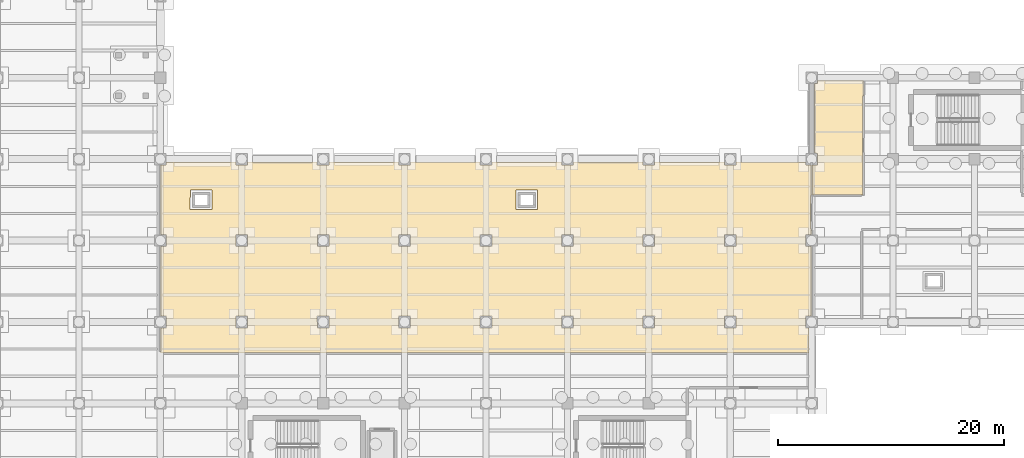
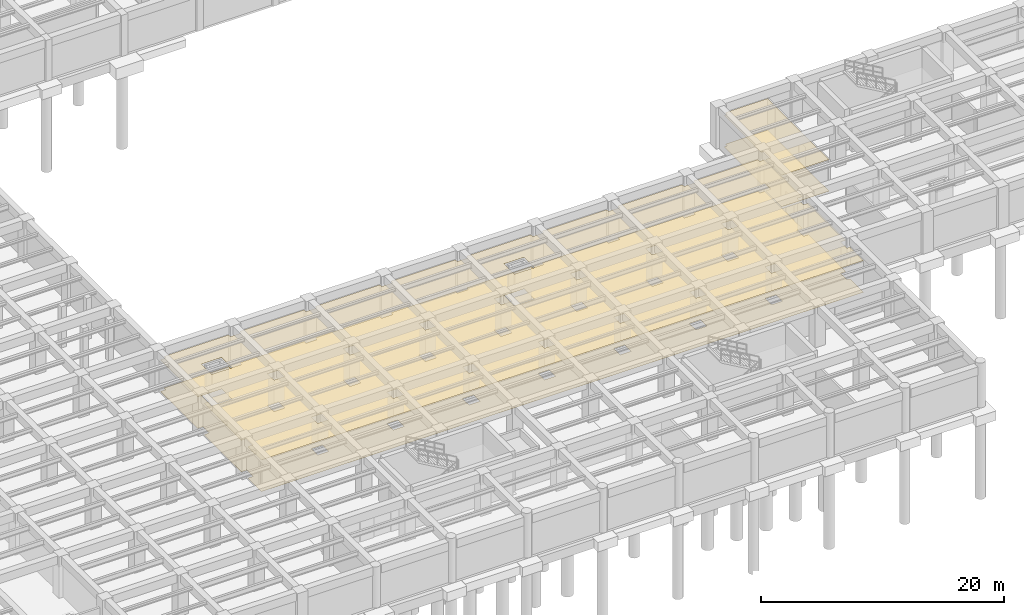
# One storey, part 27 of 34: 4 coverings.
"""IFC4 building model written with IfcOpenShell, lengths in metres."""

from ifc_helpers import new_model, si_unit, direction, frame, origin, place, context, subcontext, project, spatial, polyline, outline, extrude, material, layer, layer_set, type_object, element, save


model = new_model("IFC4")

# Units and contexts
model_context = context("Model", 3, precision=1e-05, world=origin(), true_north=direction((0.0, 1.0)))
body_context = subcontext(model_context, "Body", "Model", "MODEL_VIEW")
ifc_project = project(units=[si_unit("LENGTHUNIT", "METRE"), si_unit("AREAUNIT", "SQUARE_METRE"), si_unit("VOLUMEUNIT", "CUBIC_METRE"), si_unit("PLANEANGLEUNIT", "RADIAN"), si_unit("MASSUNIT", "GRAM", prefix="KILO")], contexts=[model_context])

# Site, building, storey
site_placement = place(None, origin())
site = spatial("IfcSite", under=ifc_project, at=site_placement, CompositionType="ELEMENT")
building_placement = place(site_placement, origin())
building = spatial("IfcBuilding", under=site, at=building_placement, Name="Solenvale Faculty of Natural Sciences", CompositionType="ELEMENT")
storey_placement = place(building_placement, frame((0.0, 0.0, -4.5)))
storey = spatial("IfcBuildingStorey", under=building, at=storey_placement, Name="B01", CompositionType="ELEMENT", Elevation=-4.5)

# Coverings
ifc_material_1 = material(Name="Acoustic mineral-timber ceiling", Category="wood")
ifc_layer_1 = layer(ifc_material_1, 0.02490234375)
ifc_layer_set_1 = layer_set([ifc_layer_1], Name="Acoustic mineral-timber ceiling")
covering_type_1 = type_object("IfcCoveringType", Name="COV-CEIL-AC25", PredefinedType="CEILING", material=ifc_layer_set_1)
covering_1_placement = place(storey_placement, frame((0.0, 0.0, 3.1650390625)))
element("IfcCovering", 1, at=covering_1_placement, inside=storey, type_object=covering_type_1, Name="B01 Geotechnical Rock Mechanics Laboratory Acoustic Ceiling", PredefinedType="CEILING", context=body_context, shape_type="SweptSolid", body=[
    extrude(outline(polyline([(114.9599609375, 33.27001953125), (114.950927734375, 33.2490234375), (114.929931640625, 33.239990234375), (57.64111328125, 33.240966796875), (57.6201171875, 33.27001953125), (57.6201171875, 35.447998046875), (57.64697265625, 35.47509765625), (58.1240234375, 35.47998046875), (58.125, 36.513916015625), (58.114013671875, 36.52490234375), (57.64697265625, 36.52490234375), (57.6201171875, 36.552001953125), (57.6201171875, 42.64501953125), (57.64697265625, 42.675048828125), (58.1240234375, 42.680908203125), (58.125, 43.714111328125), (58.114013671875, 43.72509765625), (57.64697265625, 43.72509765625), (57.6201171875, 43.751953125), (57.62109375, 49.85400390625), (57.64990234375, 49.875), (58.1201171875, 49.8759765625), (58.125, 50.133056640625), (58.155029296875, 50.159912109375), (64.2451171875, 50.159912109375), (64.27490234375, 50.133056640625), (64.27490234375, 49.885986328125), (64.285888671875, 49.875), (65.318115234375, 49.875), (65.324951171875, 50.133056640625), (65.35498046875, 50.159912109375), (71.445068359375, 50.159912109375), (71.47509765625, 50.133056640625), (71.47509765625, 49.885986328125), (71.486083984375, 49.875), (72.51806640625, 49.875), (72.52490234375, 50.133056640625), (72.554931640625, 50.159912109375), (78.64501953125, 50.159912109375), (78.675048828125, 50.133056640625), (78.675048828125, 49.885986328125), (78.68603515625, 49.875), (79.718017578125, 49.875), (79.72509765625, 50.133056640625), (79.7548828125, 50.159912109375), (85.844970703125, 50.159912109375), (85.875, 50.133056640625), (85.875, 49.885986328125), (85.885986328125, 49.875), (86.91796875, 49.875), (86.925048828125, 50.133056640625), (86.955078125, 50.159912109375), (93.044921875, 50.159912109375), (93.074951171875, 50.133056640625), (93.074951171875, 49.885986328125), (93.0859375, 49.875), (94.117919921875, 49.875), (94.125, 50.133056640625), (94.155029296875, 50.159912109375), (100.2451171875, 50.159912109375), (100.27490234375, 50.133056640625), (100.27490234375, 49.885986328125), (100.285888671875, 49.875), (101.318115234375, 49.875), (101.324951171875, 50.133056640625), (101.35498046875, 50.159912109375), (107.445068359375, 50.159912109375), (107.47509765625, 50.133056640625), (107.47509765625, 49.885986328125), (107.486083984375, 49.875), (108.51806640625, 49.875), (108.52490234375, 50.133056640625), (108.554931640625, 50.159912109375), (114.654052734375, 50.158935546875), (114.675048828125, 50.133056640625), (114.679931640625, 49.8759765625), (115.153076171875, 49.875), (115.179931640625, 49.844970703125), (115.179931640625, 47.2490234375), (115.159912109375, 47.199951171875), (115.159912109375, 44.199951171875), (115.179931640625, 44.15087890625), (115.179931640625, 43.751953125), (115.153076171875, 43.72509765625), (114.68603515625, 43.72509765625), (114.675048828125, 43.714111328125), (114.676025390625, 42.680908203125), (115.153076171875, 42.675048828125), (115.179931640625, 42.64501953125), (115.179931640625, 36.552001953125), (115.153076171875, 36.52490234375), (114.68603515625, 36.52490234375), (114.675048828125, 36.513916015625), (114.675048828125, 35.48193359375), (114.93310546875, 35.47509765625), (114.9599609375, 35.447998046875), (114.9599609375, 33.27001953125)]), holes=[polyline([(108.52490234375, 36.513916015625), (108.513916015625, 36.52490234375), (107.47802734375, 36.52197265625), (107.47802734375, 35.47802734375), (108.52197265625, 35.47802734375), (108.52490234375, 36.513916015625)]), polyline([(107.486083984375, 43.72509765625), (107.47509765625, 43.714111328125), (107.47802734375, 42.677978515625), (108.52197265625, 42.677978515625), (108.52197265625, 43.721923828125), (107.486083984375, 43.72509765625)]), polyline([(101.324951171875, 43.714111328125), (101.31396484375, 43.72509765625), (100.278076171875, 43.721923828125), (100.278076171875, 42.677978515625), (101.322021484375, 42.677978515625), (101.324951171875, 43.714111328125)]), polyline([(101.324951171875, 36.513916015625), (101.31396484375, 36.52490234375), (100.278076171875, 36.52197265625), (100.278076171875, 35.47802734375), (101.322021484375, 35.47802734375), (101.324951171875, 36.513916015625)]), polyline([(94.125, 43.714111328125), (94.114013671875, 43.72509765625), (93.077880859375, 43.721923828125), (93.077880859375, 42.677978515625), (94.1220703125, 42.677978515625), (94.125, 43.714111328125)]), polyline([(94.125, 36.513916015625), (94.114013671875, 36.52490234375), (93.077880859375, 36.52197265625), (93.077880859375, 35.47802734375), (94.1220703125, 35.47802734375), (94.125, 36.513916015625)]), polyline([(90.931884765625, 45.93994140625), (90.951904296875, 45.949951171875), (90.9599609375, 45.969970703125), (90.9599609375, 47.6298828125), (90.949951171875, 47.652099609375), (89.070068359375, 47.659912109375), (89.048095703125, 47.64990234375), (89.0400390625, 45.969970703125), (89.050048828125, 45.947998046875), (90.931884765625, 45.93994140625)]), polyline([(86.925048828125, 43.714111328125), (86.9140625, 43.72509765625), (85.8779296875, 43.721923828125), (85.8779296875, 42.677978515625), (86.922119140625, 42.677978515625), (86.925048828125, 43.714111328125)]), polyline([(86.925048828125, 36.513916015625), (86.9140625, 36.52490234375), (85.8779296875, 36.52197265625), (85.8779296875, 35.47802734375), (86.922119140625, 35.47802734375), (86.925048828125, 36.513916015625)]), polyline([(79.72509765625, 43.714111328125), (79.714111328125, 43.72509765625), (78.677978515625, 43.721923828125), (78.677978515625, 42.677978515625), (79.721923828125, 42.677978515625), (79.72509765625, 43.714111328125)]), polyline([(79.72509765625, 36.513916015625), (79.714111328125, 36.52490234375), (78.677978515625, 36.52197265625), (78.677978515625, 35.47802734375), (79.721923828125, 35.47802734375), (79.72509765625, 36.513916015625)]), polyline([(72.52490234375, 43.714111328125), (72.513916015625, 43.72509765625), (71.47802734375, 43.721923828125), (71.47802734375, 42.677978515625), (72.52197265625, 42.677978515625), (72.52490234375, 43.714111328125)]), polyline([(71.486083984375, 36.52490234375), (71.47509765625, 36.513916015625), (71.47802734375, 35.47802734375), (72.52197265625, 35.47802734375), (72.52197265625, 36.52197265625), (71.486083984375, 36.52490234375)]), polyline([(65.324951171875, 43.714111328125), (65.31396484375, 43.72509765625), (64.278076171875, 43.721923828125), (64.278076171875, 42.677978515625), (65.322021484375, 42.677978515625), (65.324951171875, 43.714111328125)]), polyline([(65.324951171875, 36.513916015625), (65.31396484375, 36.52490234375), (64.278076171875, 36.52197265625), (64.278076171875, 35.47802734375), (65.322021484375, 35.47802734375), (65.324951171875, 36.513916015625)]), polyline([(62.132080078125, 45.93994140625), (62.152099609375, 45.949951171875), (62.159912109375, 45.969970703125), (62.159912109375, 47.6298828125), (62.14990234375, 47.652099609375), (60.27001953125, 47.659912109375), (60.248046875, 47.64990234375), (60.239990234375, 45.969970703125), (60.25, 45.947998046875), (62.132080078125, 45.93994140625)])]), origin(), (0.0, 0.0, 1.0), 0.02490234375),
])
covering_2_placement = place(storey_placement, frame((0.0, 0.0, 3.1650390625)))
element("IfcCovering", 2, at=covering_2_placement, inside=storey, type_object=covering_type_1, Name="B01 Seminar Room Acoustic Ceiling", PredefinedType="CEILING", context=body_context, shape_type="SweptSolid", body=[
    extrude(outline(polyline([(115.43994140625, 57.044921875), (115.467041015625, 57.074951171875), (115.721923828125, 57.077880859375), (115.72509765625, 57.3330078125), (115.751953125, 57.360107421875), (119.75, 57.360107421875), (119.778076171875, 57.341064453125), (119.780029296875, 56.049072265625), (119.760009765625, 56.0), (119.760009765625, 47.27001953125), (119.740966796875, 47.241943359375), (115.27001953125, 47.239990234375), (115.241943359375, 47.259033203125), (115.240966796875, 49.85107421875), (115.26708984375, 49.875), (115.714111328125, 49.875), (115.72509765625, 49.885986328125), (115.72509765625, 50.91796875), (115.467041015625, 50.925048828125), (115.43994140625, 50.955078125), (115.43994140625, 57.044921875)])), origin(), (0.0, 0.0, 1.0), 0.02490234375),
])
ifc_material_2 = material(Name="Polished slate terrazzo flooring", Category="masonry")
ifc_layer_2 = layer(ifc_material_2, 0.01806640625)
ifc_layer_set_2 = layer_set([ifc_layer_2], Name="Polished slate terrazzo flooring")
covering_type_2 = type_object("IfcCoveringType", Name="COV-FLR-TRZ18", PredefinedType="FLOORING", material=ifc_layer_set_2)
covering_3_placement = place(storey_placement, origin())
element("IfcCovering", 3, at=covering_3_placement, inside=storey, type_object=covering_type_2, Name="B01 Seminar Room Floor Finish", PredefinedType="FLOORING", context=body_context, shape_type="SweptSolid", body=[
    extrude(outline(polyline([(115.43994140625, 57.044921875), (115.467041015625, 57.074951171875), (115.721923828125, 57.077880859375), (115.72509765625, 57.3330078125), (115.751953125, 57.360107421875), (119.75, 57.360107421875), (119.778076171875, 57.341064453125), (119.780029296875, 56.049072265625), (119.760009765625, 56.0), (119.760009765625, 47.27001953125), (119.740966796875, 47.241943359375), (115.27001953125, 47.239990234375), (115.241943359375, 47.259033203125), (115.240966796875, 49.85107421875), (115.26708984375, 49.875), (115.714111328125, 49.875), (115.72509765625, 49.885986328125), (115.72509765625, 50.91796875), (115.467041015625, 50.925048828125), (115.43994140625, 50.955078125), (115.43994140625, 57.044921875)])), origin(), (0.0, 0.0, 1.0), 0.01806640625),
])
ifc_material_3 = material(Name="Seamless laboratory vinyl flooring")
ifc_layer_3 = layer(ifc_material_3, 0.008056640625)
ifc_layer_set_3 = layer_set([ifc_layer_3], Name="Seamless laboratory vinyl flooring")
covering_type_3 = type_object("IfcCoveringType", Name="COV-FLR-VNL08", PredefinedType="FLOORING", material=ifc_layer_set_3)
covering_4_placement = place(storey_placement, origin())
element("IfcCovering", 4, at=covering_4_placement, inside=storey, type_object=covering_type_3, Name="B01 Geotechnical Rock Mechanics Laboratory Floor Finish", PredefinedType="FLOORING", context=body_context, shape_type="SweptSolid", body=[
    extrude(outline(polyline([(114.9599609375, 33.27001953125), (114.950927734375, 33.2490234375), (114.929931640625, 33.239990234375), (57.64111328125, 33.240966796875), (57.6201171875, 33.27001953125), (57.6201171875, 35.447998046875), (57.64697265625, 35.47509765625), (58.1240234375, 35.47998046875), (58.125, 36.513916015625), (58.114013671875, 36.52490234375), (57.64697265625, 36.52490234375), (57.6201171875, 36.552001953125), (57.6201171875, 42.64501953125), (57.64697265625, 42.675048828125), (58.1240234375, 42.680908203125), (58.125, 43.714111328125), (58.114013671875, 43.72509765625), (57.64697265625, 43.72509765625), (57.6201171875, 43.751953125), (57.62109375, 49.85400390625), (57.64990234375, 49.875), (58.1201171875, 49.8759765625), (58.125, 50.133056640625), (58.155029296875, 50.159912109375), (64.2451171875, 50.159912109375), (64.27490234375, 50.133056640625), (64.27490234375, 49.885986328125), (64.285888671875, 49.875), (65.318115234375, 49.875), (65.324951171875, 50.133056640625), (65.35498046875, 50.159912109375), (71.445068359375, 50.159912109375), (71.47509765625, 50.133056640625), (71.47509765625, 49.885986328125), (71.486083984375, 49.875), (72.51806640625, 49.875), (72.52490234375, 50.133056640625), (72.554931640625, 50.159912109375), (78.64501953125, 50.159912109375), (78.675048828125, 50.133056640625), (78.675048828125, 49.885986328125), (78.68603515625, 49.875), (79.718017578125, 49.875), (79.72509765625, 50.133056640625), (79.7548828125, 50.159912109375), (85.844970703125, 50.159912109375), (85.875, 50.133056640625), (85.875, 49.885986328125), (85.885986328125, 49.875), (86.91796875, 49.875), (86.925048828125, 50.133056640625), (86.955078125, 50.159912109375), (93.044921875, 50.159912109375), (93.074951171875, 50.133056640625), (93.074951171875, 49.885986328125), (93.0859375, 49.875), (94.117919921875, 49.875), (94.125, 50.133056640625), (94.155029296875, 50.159912109375), (100.2451171875, 50.159912109375), (100.27490234375, 50.133056640625), (100.27490234375, 49.885986328125), (100.285888671875, 49.875), (101.318115234375, 49.875), (101.324951171875, 50.133056640625), (101.35498046875, 50.159912109375), (107.445068359375, 50.159912109375), (107.47509765625, 50.133056640625), (107.47509765625, 49.885986328125), (107.486083984375, 49.875), (108.51806640625, 49.875), (108.52490234375, 50.133056640625), (108.554931640625, 50.159912109375), (114.654052734375, 50.158935546875), (114.675048828125, 50.133056640625), (114.679931640625, 49.8759765625), (115.153076171875, 49.875), (115.179931640625, 49.844970703125), (115.179931640625, 47.2490234375), (115.159912109375, 47.199951171875), (115.159912109375, 44.199951171875), (115.179931640625, 44.15087890625), (115.179931640625, 43.751953125), (115.153076171875, 43.72509765625), (114.68603515625, 43.72509765625), (114.675048828125, 43.714111328125), (114.676025390625, 42.680908203125), (115.153076171875, 42.675048828125), (115.179931640625, 42.64501953125), (115.179931640625, 36.552001953125), (115.153076171875, 36.52490234375), (114.68603515625, 36.52490234375), (114.675048828125, 36.513916015625), (114.675048828125, 35.48193359375), (114.93310546875, 35.47509765625), (114.9599609375, 35.447998046875), (114.9599609375, 33.27001953125)]), holes=[polyline([(108.52490234375, 36.513916015625), (108.513916015625, 36.52490234375), (107.47802734375, 36.52197265625), (107.47802734375, 35.47802734375), (108.52197265625, 35.47802734375), (108.52490234375, 36.513916015625)]), polyline([(107.486083984375, 43.72509765625), (107.47509765625, 43.714111328125), (107.47802734375, 42.677978515625), (108.52197265625, 42.677978515625), (108.52197265625, 43.721923828125), (107.486083984375, 43.72509765625)]), polyline([(101.324951171875, 43.714111328125), (101.31396484375, 43.72509765625), (100.278076171875, 43.721923828125), (100.278076171875, 42.677978515625), (101.322021484375, 42.677978515625), (101.324951171875, 43.714111328125)]), polyline([(101.324951171875, 36.513916015625), (101.31396484375, 36.52490234375), (100.278076171875, 36.52197265625), (100.278076171875, 35.47802734375), (101.322021484375, 35.47802734375), (101.324951171875, 36.513916015625)]), polyline([(94.125, 43.714111328125), (94.114013671875, 43.72509765625), (93.077880859375, 43.721923828125), (93.077880859375, 42.677978515625), (94.1220703125, 42.677978515625), (94.125, 43.714111328125)]), polyline([(94.125, 36.513916015625), (94.114013671875, 36.52490234375), (93.077880859375, 36.52197265625), (93.077880859375, 35.47802734375), (94.1220703125, 35.47802734375), (94.125, 36.513916015625)]), polyline([(90.931884765625, 45.93994140625), (90.951904296875, 45.949951171875), (90.9599609375, 45.969970703125), (90.9599609375, 47.6298828125), (90.949951171875, 47.652099609375), (89.070068359375, 47.659912109375), (89.048095703125, 47.64990234375), (89.0400390625, 45.969970703125), (89.050048828125, 45.947998046875), (90.931884765625, 45.93994140625)]), polyline([(86.925048828125, 43.714111328125), (86.9140625, 43.72509765625), (85.8779296875, 43.721923828125), (85.8779296875, 42.677978515625), (86.922119140625, 42.677978515625), (86.925048828125, 43.714111328125)]), polyline([(86.925048828125, 36.513916015625), (86.9140625, 36.52490234375), (85.8779296875, 36.52197265625), (85.8779296875, 35.47802734375), (86.922119140625, 35.47802734375), (86.925048828125, 36.513916015625)]), polyline([(79.72509765625, 43.714111328125), (79.714111328125, 43.72509765625), (78.677978515625, 43.721923828125), (78.677978515625, 42.677978515625), (79.721923828125, 42.677978515625), (79.72509765625, 43.714111328125)]), polyline([(79.72509765625, 36.513916015625), (79.714111328125, 36.52490234375), (78.677978515625, 36.52197265625), (78.677978515625, 35.47802734375), (79.721923828125, 35.47802734375), (79.72509765625, 36.513916015625)]), polyline([(72.52490234375, 43.714111328125), (72.513916015625, 43.72509765625), (71.47802734375, 43.721923828125), (71.47802734375, 42.677978515625), (72.52197265625, 42.677978515625), (72.52490234375, 43.714111328125)]), polyline([(71.486083984375, 36.52490234375), (71.47509765625, 36.513916015625), (71.47802734375, 35.47802734375), (72.52197265625, 35.47802734375), (72.52197265625, 36.52197265625), (71.486083984375, 36.52490234375)]), polyline([(65.324951171875, 43.714111328125), (65.31396484375, 43.72509765625), (64.278076171875, 43.721923828125), (64.278076171875, 42.677978515625), (65.322021484375, 42.677978515625), (65.324951171875, 43.714111328125)]), polyline([(65.324951171875, 36.513916015625), (65.31396484375, 36.52490234375), (64.278076171875, 36.52197265625), (64.278076171875, 35.47802734375), (65.322021484375, 35.47802734375), (65.324951171875, 36.513916015625)]), polyline([(62.132080078125, 45.93994140625), (62.152099609375, 45.949951171875), (62.159912109375, 45.969970703125), (62.159912109375, 47.6298828125), (62.14990234375, 47.652099609375), (60.27001953125, 47.659912109375), (60.248046875, 47.64990234375), (60.239990234375, 45.969970703125), (60.25, 45.947998046875), (62.132080078125, 45.93994140625)])]), origin(), (0.0, 0.0, 1.0), 0.008056640625),
])

save(model, "model.ifc")
